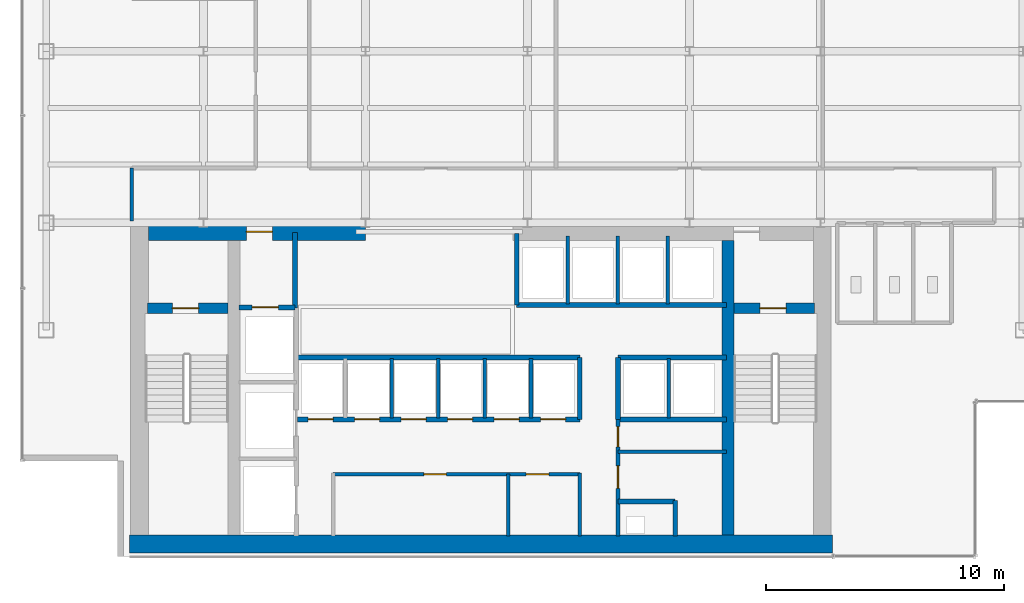
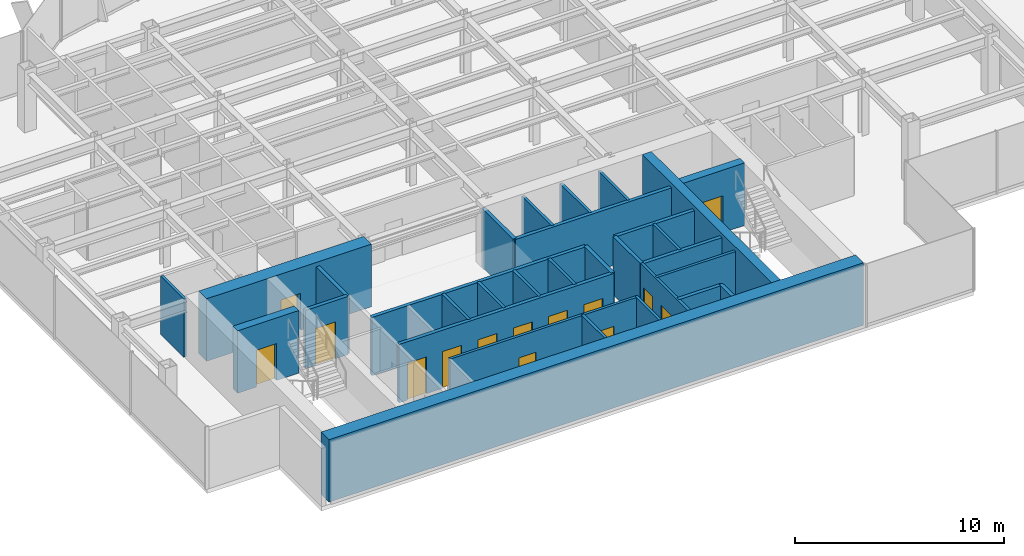
# One storey, part 18 of 23: 31 walls, 14 doors, 14 openings.
"""IFC4 building model written with IfcOpenShell, lengths in metres."""

from ifc_helpers import new_model, si_unit, derived_unit, direction, frame, frame_2d, origin, place, context, subcontext, project, spatial, rectangle, extrude, source, transform, mapped, material, layer, layer_set, type_object, element, fill, save


model = new_model("IFC4")

# Units and contexts
model_context = context("Model", 3, precision=1e-05, world=origin(), true_north=direction((0.0, 1.0)))
body_context = subcontext(model_context, "Body", "Model", "MODEL_VIEW")
ifc_project = project(units=[si_unit("LENGTHUNIT", "METRE"), si_unit("AREAUNIT", "SQUARE_METRE"), si_unit("VOLUMEUNIT", "CUBIC_METRE"), si_unit("PLANEANGLEUNIT", "RADIAN"), si_unit("MASSUNIT", "GRAM", prefix="KILO"), derived_unit("THERMALTRANSMITTANCEUNIT", [(si_unit("POWERUNIT", "WATT"), 1), (si_unit("LENGTHUNIT", "METRE"), -2), (si_unit("THERMODYNAMICTEMPERATUREUNIT", "KELVIN"), -1)])], contexts=[model_context])

# Site, building, storey
site_placement = place(None, origin())
site = spatial("IfcSite", under=ifc_project, at=site_placement, CompositionType="ELEMENT")
building_placement = place(site_placement, origin())
building = spatial("IfcBuilding", under=site, at=building_placement, Name="Skarnbrae Concourse Arena and Tower", CompositionType="ELEMENT")
storey_placement = place(building_placement, frame((0.0, 0.0, 140.60009765625)))
storey = spatial("IfcBuildingStorey", under=building, at=storey_placement, Name="L35", CompositionType="ELEMENT", Elevation=140.60009765625)

# Wall, opening, door
ifc_material_1 = material(Name="Concrete 50 MPa (C50/60)", Category="concrete")
ifc_layer_1 = layer(ifc_material_1, 0.449951171875)
ifc_layer_set_1 = layer_set([ifc_layer_1], Name="Concrete 50 MPa (C50/60)")
wall_type_1 = type_object("IfcWallType", Name="WALL-CORE-450-C50", PredefinedType="SHEAR", material=ifc_layer_set_1)
shared_shape_1 = source(origin(), body_context, "Body", "SweptSolid", [
    extrude(rectangle(XDim=3.389892578125, YDim=0.449951171875, at=frame_2d((1.69482421875, 0.0))), origin(), (0.0, 0.0, 1.0), 3.64990234375),
])
wall_1_placement = place(storey_placement, frame((5.25, 10.419921875, 0.0), z_axis=(0.0, 0.0, 1.0), x_axis=(1.0, 0.0, 0.0)))
wall_1 = element("IfcWall", 1, at=wall_1_placement, inside=storey, type_object=wall_type_1, Name="L35 Rear core shear wall CW-ST1-N", PredefinedType="SHEAR", context=body_context, shape_type="MappedRepresentation", body=[
    mapped(shared_shape_1, transform((0.0, 0.0, 0.0))),
])
opening_1_placement = place(wall_1_placement, frame((1.050048828125, 0.0, 0.0)))
opening_1 = element("IfcOpeningElement", 2, at=opening_1_placement, cuts=wall_1, Name="Opening DT-03", PredefinedType="OPENING", context=body_context, shape_type="SweptSolid", body=[
    extrude(rectangle(XDim=1.10009765625, YDim=2.14990234375, at=frame_2d((0.550048828125, 1.074951171875))), frame((0.0, 0.23486328125, 0.0), z_axis=(0.0, -1.0, 0.0), x_axis=(1.0, 0.0, 0.0)), (0.0, 0.0, 1.0), 0.469970703125),
])
ifc_material_2 = material(Name="Steel CSA G40.21 350W", Category="steel")
door_type_1 = type_object("IfcDoorType", Name="DOOR-FIRE-1100-90M", OperationType="NOTDEFINED", PredefinedType="DOOR", material=ifc_material_2)
shared_shape_2 = source(origin(), body_context, "Body", "SweptSolid", [
    extrude(rectangle(XDim=1.10009765625, YDim=2.14990234375, at=frame_2d((0.550048828125, 1.074951171875))), frame((0.0, 0.02490234375, 0.0), z_axis=(0.0, -1.0, 0.0), x_axis=(1.0, 0.0, 0.0)), (0.0, 0.0, 1.0), 0.050048828125),
])
door_1_placement = place(opening_1_placement, frame((1.10009765625, 0.0, 0.0), z_axis=(0.0, 0.0, 1.0), x_axis=(-1.0, 0.0, 0.0)))
door_1 = element("IfcDoor", 3, at=door_1_placement, inside=storey, type_object=door_type_1, Name="D-1095 Stair ST-1 Door", OperationType="SINGLE_SWING_LEFT", OverallHeight=2.14990234375, OverallWidth=1.10009765625, PredefinedType="DOOR", context=body_context, shape_type="MappedRepresentation", body=[
    mapped(shared_shape_2, transform((0.0, 0.0, 0.0))),
])
fill(opening_1, door_1)

wall_2_placement = place(storey_placement, frame((29.860107421875, 10.419921875, 0.0), z_axis=(0.0, 0.0, 1.0), x_axis=(1.0, 0.0, 0.0)))
wall_2 = element("IfcWall", 4, at=wall_2_placement, inside=storey, type_object=wall_type_1, Name="L35 Rear core shear wall CW-ST2-N", PredefinedType="SHEAR", context=body_context, shape_type="MappedRepresentation", body=[
    mapped(shared_shape_1, transform((0.0, 0.0, 0.0))),
])
opening_2_placement = place(wall_2_placement, frame((1.10009765625, 0.0, 0.0)))
opening_2 = element("IfcOpeningElement", 5, at=opening_2_placement, cuts=wall_2, Name="Opening DT-03", PredefinedType="OPENING", context=body_context, shape_type="SweptSolid", body=[
    extrude(rectangle(XDim=1.10009765625, YDim=2.14990234375, at=frame_2d((0.550048828125, 1.074951171875))), frame((0.0, 0.23486328125, 0.0), z_axis=(0.0, -1.0, 0.0), x_axis=(1.0, 0.0, 0.0)), (0.0, 0.0, 1.0), 0.469970703125),
])
door_2_placement = place(opening_2_placement, frame((1.10009765625, 0.0, 0.0), z_axis=(0.0, 0.0, 1.0), x_axis=(-1.0, 0.0, 0.0)))
door_2 = element("IfcDoor", 6, at=door_2_placement, inside=storey, type_object=door_type_1, Name="D-1096 Stair ST-2 Door", OperationType="SINGLE_SWING_RIGHT", OverallHeight=2.14990234375, OverallWidth=1.10009765625, PredefinedType="DOOR", context=body_context, shape_type="MappedRepresentation", body=[
    mapped(shared_shape_2, transform((0.0, 0.0, 0.0))),
])
fill(opening_2, door_2)

# Wall
ifc_material_3 = material(Name="Concrete 60 MPa (C60/75)", Category="concrete")
ifc_layer_2 = layer(ifc_material_3, 0.75)
ifc_layer_set_2 = layer_set([ifc_layer_2], Name="Concrete 60 MPa (C60/75)")
wall_type_2 = type_object("IfcWallType", Name="WALL-CORE-750-C60", PredefinedType="SHEAR", material=ifc_layer_set_2)
shared_shape_3 = source(origin(), body_context, "Body", "SweptSolid", [
    extrude(rectangle(XDim=29.5, YDim=0.75, at=frame_2d((14.75, 0.0))), origin(), (0.0, 0.0, 1.0), 3.64990234375),
])
wall_3_placement = place(storey_placement, frame((4.5, 0.52490234375, 0.0), z_axis=(0.0, 0.0, 1.0), x_axis=(1.0, 0.0, 0.0)))
element("IfcWall", 7, at=wall_3_placement, inside=storey, type_object=wall_type_2, Name="L35 Rear core shear wall CW-S", PredefinedType="SHEAR", context=body_context, shape_type="MappedRepresentation", body=[
    mapped(shared_shape_3, transform((0.0, 0.0, 0.0))),
])

# Wall, opening, door
shared_shape_4 = source(origin(), body_context, "Body", "SweptSolid", [
    extrude(rectangle(XDim=9.099853515625, YDim=0.75, at=frame_2d((4.5498046875, 0.0))), origin(), (0.0, 0.0, 1.0), 3.64990234375),
])
wall_4_placement = place(storey_placement, frame((5.300048828125, 13.625, 0.0), z_axis=(0.0, 0.0, 1.0), x_axis=(1.0, 0.0, 0.0)))
wall_4 = element("IfcWall", 8, at=wall_4_placement, inside=storey, type_object=wall_type_2, Name="L35 Rear core shear wall CW-NW", PredefinedType="SHEAR", context=body_context, shape_type="MappedRepresentation", body=[
    mapped(shared_shape_4, transform((0.0, 0.0, 0.0))),
])
opening_3_placement = place(wall_4_placement, frame((4.10009765625, 0.0, 0.0)))
opening_3 = element("IfcOpeningElement", 9, at=opening_3_placement, cuts=wall_4, Name="Opening DT-03", PredefinedType="OPENING", context=body_context, shape_type="SweptSolid", body=[
    extrude(rectangle(XDim=1.10009765625, YDim=2.14990234375, at=frame_2d((0.550048828125, 1.074951171875))), frame((0.0, 0.385009765625, 0.0), z_axis=(0.0, -1.0, 0.0), x_axis=(1.0, 0.0, 0.0)), (0.0, 0.0, 1.0), 0.77001953125),
])
door_3_placement = place(opening_3_placement, origin())
door_3 = element("IfcDoor", 10, at=door_3_placement, inside=storey, type_object=door_type_1, Name="D-1097 Firefighting Lobby Exit Door", OperationType="SINGLE_SWING_RIGHT", OverallHeight=2.14990234375, OverallWidth=1.10009765625, PredefinedType="DOOR", context=body_context, shape_type="MappedRepresentation", body=[
    mapped(shared_shape_2, transform((0.0, 0.0, 0.0))),
])
fill(opening_3, door_3)

# Walls
ifc_layer_3 = layer(ifc_material_3, 0.5)
ifc_layer_set_3 = layer_set([ifc_layer_3], Name="Concrete 60 MPa (C60/75)")
wall_type_3 = type_object("IfcWallType", Name="WALL-CORE-500-C60", PredefinedType="SHEAR", material=ifc_layer_set_3)
shared_shape_5 = source(origin(), body_context, "Body", "SweptSolid", [
    extrude(rectangle(XDim=12.35009765625, YDim=0.5, at=frame_2d((6.175048828125, 0.0))), origin(), (0.0, 0.0, 1.0), 3.64990234375),
])
wall_5_placement = place(storey_placement, frame((29.610107421875, 0.89990234375, 0.0), z_axis=(0.0, 0.0, 1.0), x_axis=(0.0, 1.0, 0.0)))
element("IfcWall", 11, at=wall_5_placement, inside=storey, type_object=wall_type_3, Name="L35 Rear core shear wall CW-WEB-E", PredefinedType="SHEAR", context=body_context, shape_type="MappedRepresentation", body=[
    mapped(shared_shape_5, transform((0.0, 0.0, 0.0))),
])
ifc_material_4 = material(Name="Gypsum board on cold-formed steel studs", Category="steel")
ifc_layer_4 = layer(ifc_material_4, 0.199951171875)
ifc_layer_set_4 = layer_set([ifc_layer_4], Name="Gypsum board on cold-formed steel studs")
wall_type_4 = type_object("IfcWallType", Name="WALL-PART-200-2HR", PredefinedType="PARTITIONING", material=ifc_layer_set_4)
shared_shape_6 = source(origin(), body_context, "Body", "SweptSolid", [
    extrude(rectangle(XDim=3.18017578125, YDim=0.199951171875, at=frame_2d((1.590087890625, 0.0))), origin(), (0.0, 0.0, 1.0), 3.39990234375),
])
wall_6_placement = place(storey_placement, frame((11.449951171875, 10.419921875, 0.0), z_axis=(0.0, 0.0, 1.0), x_axis=(0.0, 1.0, 0.0)))
element("IfcWall", 12, at=wall_6_placement, inside=storey, type_object=wall_type_4, Name="L35 Interior partition wall W-L35-FFL-E", PredefinedType="PARTITIONING", context=body_context, shape_type="MappedRepresentation", body=[
    mapped(shared_shape_6, transform((0.0, 0.0, 0.0))),
])

# Wall, opening, door
shared_shape_7 = source(origin(), body_context, "Body", "SweptSolid", [
    extrude(rectangle(XDim=2.349853515625, YDim=0.199951171875, at=frame_2d((1.1748046875, 0.0))), origin(), (0.0, 0.0, 1.0), 3.39990234375),
])
wall_7_placement = place(storey_placement, frame((9.10009765625, 10.449951171875, 0.0), z_axis=(0.0, 0.0, 1.0), x_axis=(1.0, 0.0, 0.0)))
wall_7 = element("IfcWall", 13, at=wall_7_placement, inside=storey, type_object=wall_type_4, Name="L35 Interior partition wall W-L35-FL1-N", PredefinedType="PARTITIONING", context=body_context, shape_type="MappedRepresentation", body=[
    mapped(shared_shape_7, transform((0.0, 0.0, 0.0))),
])
opening_4_placement = place(wall_7_placement, frame((0.550048828125, 0.0, 0.0)))
opening_4 = element("IfcOpeningElement", 14, at=opening_4_placement, cuts=wall_7, Name="Opening LD-01", PredefinedType="OPENING", context=body_context, shape_type="SweptSolid", body=[
    extrude(rectangle(XDim=1.10009765625, YDim=2.14990234375, at=frame_2d((0.550048828125, 1.074951171875))), frame((0.0, 0.10986328125, 0.0), z_axis=(0.0, -1.0, 0.0), x_axis=(1.0, 0.0, 0.0)), (0.0, 0.0, 1.0), 0.219970703125),
])
door_type_2 = type_object("IfcDoorType", Name="DOOR-LIFT-SLIDE-1100", OperationType="SLIDING_TO_LEFT", PredefinedType="DOOR", material=ifc_material_2)
door_4_placement = place(opening_4_placement, origin())
door_4 = element("IfcDoor", 15, at=door_4_placement, inside=storey, type_object=door_type_2, Name="D-1099 Firefighting Lift Landing Door FL-01", OperationType="SLIDING_TO_LEFT", OverallHeight=2.14990234375, OverallWidth=1.10009765625, PredefinedType="DOOR", context=body_context, shape_type="MappedRepresentation", body=[
    mapped(shared_shape_2, transform((0.0, 0.0, 0.0))),
])
fill(opening_4, door_4)

# Wall
ifc_layer_5 = layer(ifc_material_4, 0.14990234375)
ifc_layer_set_5 = layer_set([ifc_layer_5], Name="Gypsum board on cold-formed steel studs")
wall_type_5 = type_object("IfcWallType", Name="WALL-PART-150", PredefinedType="PARTITIONING", material=ifc_layer_set_5)
shared_shape_8 = source(origin(), body_context, "Body", "SweptSolid", [
    extrude(rectangle(XDim=2.599853515625, YDim=0.14990234375, at=frame_2d((1.2998046875, 0.0))), origin(), (0.0, 0.0, 1.0), 3.39990234375),
])
wall_8_placement = place(storey_placement, frame((20.39990234375, 0.85009765625, 0.0), z_axis=(0.0, 0.0, 1.0), x_axis=(0.0, 1.0, 0.0)))
element("IfcWall", 16, at=wall_8_placement, inside=storey, type_object=wall_type_5, Name="L35 Interior partition wall W-L35-B1M-C1", PredefinedType="PARTITIONING", context=body_context, shape_type="MappedRepresentation", body=[
    mapped(shared_shape_8, transform((0.0, 0.0, 0.0))),
])

# Wall, openings, doors
shared_shape_9 = source(origin(), body_context, "Body", "SweptSolid", [
    extrude(rectangle(XDim=11.849853515625, YDim=0.199951171875, at=frame_2d((5.9248046875, 0.0))), origin(), (0.0, 0.0, 1.0), 3.39990234375),
])
wall_9_placement = place(storey_placement, frame((11.550048828125, 5.75, 0.0), z_axis=(0.0, 0.0, 1.0), x_axis=(1.0, 0.0, 0.0)))
wall_9 = element("IfcWall", 17, at=wall_9_placement, inside=storey, type_object=wall_type_4, Name="L35 Interior partition wall W-L35-B2-S", PredefinedType="PARTITIONING", context=body_context, shape_type="MappedRepresentation", body=[
    mapped(shared_shape_9, transform((0.0, 0.0, 0.0))),
])
opening_5_placement = place(wall_9_placement, frame((0.449951171875, 0.0, 0.0)))
opening_5 = element("IfcOpeningElement", 18, at=opening_5_placement, cuts=wall_9, Name="Opening LD-03", PredefinedType="OPENING", context=body_context, shape_type="SweptSolid", body=[
    extrude(rectangle(XDim=1.050048828125, YDim=2.14990234375, at=frame_2d((0.52490234375, 1.074951171875))), frame((0.0, 0.10986328125, 0.0), z_axis=(0.0, -1.0, 0.0), x_axis=(1.0, 0.0, 0.0)), (0.0, 0.0, 1.0), 0.219970703125),
])
opening_6_placement = place(wall_9_placement, frame((2.39990234375, 0.0, 0.0)))
opening_6 = element("IfcOpeningElement", 19, at=opening_6_placement, cuts=wall_9, Name="Opening LD-03", PredefinedType="OPENING", context=body_context, shape_type="SweptSolid", body=[
    extrude(rectangle(XDim=1.050048828125, YDim=2.14990234375, at=frame_2d((0.52490234375, 1.074951171875))), frame((0.0, 0.10986328125, 0.0), z_axis=(0.0, -1.0, 0.0), x_axis=(1.0, 0.0, 0.0)), (0.0, 0.0, 1.0), 0.219970703125),
])
opening_7_placement = place(wall_9_placement, frame((4.35009765625, 0.0, 0.0)))
opening_7 = element("IfcOpeningElement", 20, at=opening_7_placement, cuts=wall_9, Name="Opening LD-03", PredefinedType="OPENING", context=body_context, shape_type="SweptSolid", body=[
    extrude(rectangle(XDim=1.050048828125, YDim=2.14990234375, at=frame_2d((0.52490234375, 1.074951171875))), frame((0.0, 0.10986328125, 0.0), z_axis=(0.0, -1.0, 0.0), x_axis=(1.0, 0.0, 0.0)), (0.0, 0.0, 1.0), 0.219970703125),
])
opening_8_placement = place(wall_9_placement, frame((6.300048828125, 0.0, 0.0)))
opening_8 = element("IfcOpeningElement", 21, at=opening_8_placement, cuts=wall_9, Name="Opening LD-03", PredefinedType="OPENING", context=body_context, shape_type="SweptSolid", body=[
    extrude(rectangle(XDim=1.050048828125, YDim=2.14990234375, at=frame_2d((0.52490234375, 1.074951171875))), frame((0.0, 0.10986328125, 0.0), z_axis=(0.0, -1.0, 0.0), x_axis=(1.0, 0.0, 0.0)), (0.0, 0.0, 1.0), 0.219970703125),
])
opening_9_placement = place(wall_9_placement, frame((8.25, 0.0, 0.0)))
opening_9 = element("IfcOpeningElement", 22, at=opening_9_placement, cuts=wall_9, Name="Opening LD-03", PredefinedType="OPENING", context=body_context, shape_type="SweptSolid", body=[
    extrude(rectangle(XDim=1.050048828125, YDim=2.14990234375, at=frame_2d((0.52490234375, 1.074951171875))), frame((0.0, 0.10986328125, 0.0), z_axis=(0.0, -1.0, 0.0), x_axis=(1.0, 0.0, 0.0)), (0.0, 0.0, 1.0), 0.219970703125),
])
opening_10_placement = place(wall_9_placement, frame((10.199951171875, 0.0, 0.0)))
opening_10 = element("IfcOpeningElement", 23, at=opening_10_placement, cuts=wall_9, Name="Opening LD-03", PredefinedType="OPENING", context=body_context, shape_type="SweptSolid", body=[
    extrude(rectangle(XDim=1.050048828125, YDim=2.14990234375, at=frame_2d((0.52490234375, 1.074951171875))), frame((0.0, 0.10986328125, 0.0), z_axis=(0.0, -1.0, 0.0), x_axis=(1.0, 0.0, 0.0)), (0.0, 0.0, 1.0), 0.219970703125),
])
ifc_material_5 = material(Name="Bronze anodised aluminium 6063-T6", Category="aluminium")
door_type_3 = type_object("IfcDoorType", Name="DOOR-LIFT-SLIDE-1050", OperationType="SLIDING_TO_LEFT", PredefinedType="DOOR", material=ifc_material_5)
shared_shape_10 = source(origin(), body_context, "Body", "SweptSolid", [
    extrude(rectangle(XDim=1.050048828125, YDim=2.14990234375, at=frame_2d((0.52490234375, 1.074951171875))), frame((0.0, 0.02490234375, 0.0), z_axis=(0.0, -1.0, 0.0), x_axis=(1.0, 0.0, 0.0)), (0.0, 0.0, 1.0), 0.050048828125),
])
door_5_placement = place(opening_5_placement, frame((1.050048828125, 0.0, 0.0), z_axis=(0.0, 0.0, 1.0), x_axis=(-1.0, 0.0, 0.0)))
door_5 = element("IfcDoor", 24, at=door_5_placement, inside=storey, type_object=door_type_3, Name="D-1104 Passenger Lift Landing Door PL-2A", OperationType="SLIDING_TO_LEFT", OverallHeight=2.14990234375, OverallWidth=1.050048828125, PredefinedType="DOOR", context=body_context, shape_type="MappedRepresentation", body=[
    mapped(shared_shape_10, transform((0.0, 0.0, 0.0))),
])
fill(opening_5, door_5)
door_6_placement = place(opening_6_placement, frame((1.050048828125, 0.0, 0.0), z_axis=(0.0, 0.0, 1.0), x_axis=(-1.0, 0.0, 0.0)))
door_6 = element("IfcDoor", 25, at=door_6_placement, inside=storey, type_object=door_type_3, Name="D-1105 Passenger Lift Landing Door PL-2B", OperationType="SLIDING_TO_LEFT", OverallHeight=2.14990234375, OverallWidth=1.050048828125, PredefinedType="DOOR", context=body_context, shape_type="MappedRepresentation", body=[
    mapped(shared_shape_10, transform((0.0, 0.0, 0.0))),
])
fill(opening_6, door_6)
door_7_placement = place(opening_7_placement, frame((1.050048828125, 0.0, 0.0), z_axis=(0.0, 0.0, 1.0), x_axis=(-1.0, 0.0, 0.0)))
door_7 = element("IfcDoor", 26, at=door_7_placement, inside=storey, type_object=door_type_3, Name="D-1106 Passenger Lift Landing Door PL-2C", OperationType="SLIDING_TO_LEFT", OverallHeight=2.14990234375, OverallWidth=1.050048828125, PredefinedType="DOOR", context=body_context, shape_type="MappedRepresentation", body=[
    mapped(shared_shape_10, transform((0.0, 0.0, 0.0))),
])
fill(opening_7, door_7)
door_8_placement = place(opening_8_placement, frame((1.050048828125, 0.0, 0.0), z_axis=(0.0, 0.0, 1.0), x_axis=(-1.0, 0.0, 0.0)))
door_8 = element("IfcDoor", 27, at=door_8_placement, inside=storey, type_object=door_type_3, Name="D-1107 Passenger Lift Landing Door PL-2D", OperationType="SLIDING_TO_LEFT", OverallHeight=2.14990234375, OverallWidth=1.050048828125, PredefinedType="DOOR", context=body_context, shape_type="MappedRepresentation", body=[
    mapped(shared_shape_10, transform((0.0, 0.0, 0.0))),
])
fill(opening_8, door_8)
door_9_placement = place(opening_9_placement, frame((1.050048828125, 0.0, 0.0), z_axis=(0.0, 0.0, 1.0), x_axis=(-1.0, 0.0, 0.0)))
door_9 = element("IfcDoor", 28, at=door_9_placement, inside=storey, type_object=door_type_3, Name="D-1108 Passenger Lift Landing Door PL-2E", OperationType="SLIDING_TO_LEFT", OverallHeight=2.14990234375, OverallWidth=1.050048828125, PredefinedType="DOOR", context=body_context, shape_type="MappedRepresentation", body=[
    mapped(shared_shape_10, transform((0.0, 0.0, 0.0))),
])
fill(opening_9, door_9)
door_10_placement = place(opening_10_placement, frame((1.050048828125, 0.0, 0.0), z_axis=(0.0, 0.0, 1.0), x_axis=(-1.0, 0.0, 0.0)))
door_10 = element("IfcDoor", 29, at=door_10_placement, inside=storey, type_object=door_type_3, Name="D-1109 Passenger Lift Landing Door PL-2F", OperationType="SLIDING_TO_LEFT", OverallHeight=2.14990234375, OverallWidth=1.050048828125, PredefinedType="DOOR", context=body_context, shape_type="MappedRepresentation", body=[
    mapped(shared_shape_10, transform((0.0, 0.0, 0.0))),
])
fill(opening_10, door_10)

# Walls
wall_10_placement = place(storey_placement, frame((11.550048828125, 8.35009765625, 0.0), z_axis=(0.0, 0.0, 1.0), x_axis=(1.0, 0.0, 0.0)))
element("IfcWall", 30, at=wall_10_placement, inside=storey, type_object=wall_type_4, Name="L35 Interior partition wall W-L35-B2-N", PredefinedType="PARTITIONING", context=body_context, shape_type="MappedRepresentation", body=[
    mapped(shared_shape_9, transform((0.0, 0.0, 0.0))),
])
shared_shape_11 = source(origin(), body_context, "Body", "SweptSolid", [
    extrude(rectangle(XDim=2.60009765625, YDim=0.199951171875, at=frame_2d((1.300048828125, 0.0))), origin(), (0.0, 0.0, 1.0), 3.39990234375),
])
for number, where, z_axis, x_axis, name in (
    (31, (23.39990234375, 5.75, 0.0), (0.0, 0.0, 1.0), (0.0, 1.0, 0.0), "L35 Interior partition wall W-L35-B2-E"),
    (32, (25.0, 5.75, 0.0), (0.0, 0.0, 1.0), (0.0, 1.0, 0.0), "L35 Interior partition wall W-L35-B3S-W"),
):
    element("IfcWall", number, at=place(storey_placement, frame(where, z_axis=z_axis, x_axis=x_axis)), inside=storey, type_object=wall_type_4, Name=name, PredefinedType="PARTITIONING", context=body_context, shape_type="MappedRepresentation", body=[
        mapped(shared_shape_11, transform((0.0, 0.0, 0.0))),
    ])
shared_shape_12 = source(origin(), body_context, "Body", "SweptSolid", [
    extrude(rectangle(XDim=2.5, YDim=0.14990234375, at=frame_2d((1.25, 0.0))), origin(), (0.0, 0.0, 1.0), 3.39990234375),
])
for number, where, z_axis, x_axis, name in (
    (33, (15.5, 5.800048828125, 0.0), (0.0, 0.0, 1.0), (0.0, 1.0, 0.0), "L35 Interior partition wall W-L35-B2-P2"),
    (34, (17.449951171875, 5.800048828125, 0.0), (0.0, 0.0, 1.0), (0.0, 1.0, 0.0), "L35 Interior partition wall W-L35-B2-P3"),
    (35, (19.39990234375, 5.800048828125, 0.0), (0.0, 0.0, 1.0), (0.0, 1.0, 0.0), "L35 Interior partition wall W-L35-B2-P4"),
    (36, (21.35009765625, 5.800048828125, 0.0), (0.0, 0.0, 1.0), (0.0, 1.0, 0.0), "L35 Interior partition wall W-L35-B2-P5"),
    (37, (27.139892578125, 5.800048828125, 0.0), (0.0, 0.0, 1.0), (0.0, 1.0, 0.0), "L35 Interior partition wall W-L35-B3S-P1"),
):
    element("IfcWall", number, at=place(storey_placement, frame(where, z_axis=z_axis, x_axis=x_axis)), inside=storey, type_object=wall_type_5, Name=name, PredefinedType="PARTITIONING", context=body_context, shape_type="MappedRepresentation", body=[
        mapped(shared_shape_12, transform((0.0, 0.0, 0.0))),
    ])
shared_shape_13 = source(origin(), body_context, "Body", "SweptSolid", [
    extrude(rectangle(XDim=8.800048828125, YDim=0.199951171875, at=frame_2d((4.39990234375, 0.0))), origin(), (0.0, 0.0, 1.0), 3.39990234375),
])
wall_11_placement = place(storey_placement, frame((20.75, 10.550048828125, 0.0), z_axis=(0.0, 0.0, 1.0), x_axis=(1.0, 0.0, 0.0)))
element("IfcWall", 38, at=wall_11_placement, inside=storey, type_object=wall_type_4, Name="L35 Interior partition wall W-L35-B3N-S", PredefinedType="PARTITIONING", context=body_context, shape_type="MappedRepresentation", body=[
    mapped(shared_shape_13, transform((0.0, 0.0, 0.0))),
])
shared_shape_14 = source(origin(), body_context, "Body", "SweptSolid", [
    extrude(rectangle(XDim=3.0, YDim=0.199951171875, at=frame_2d((1.5, 0.0))), origin(), (0.0, 0.0, 1.0), 3.39990234375),
])
wall_12_placement = place(storey_placement, frame((20.75, 10.550048828125, 0.0), z_axis=(0.0, 0.0, 1.0), x_axis=(0.0, 1.0, 0.0)))
element("IfcWall", 39, at=wall_12_placement, inside=storey, type_object=wall_type_4, Name="L35 Interior partition wall W-L35-B3N-W", PredefinedType="PARTITIONING", context=body_context, shape_type="MappedRepresentation", body=[
    mapped(shared_shape_14, transform((0.0, 0.0, 0.0))),
])
shared_shape_15 = source(origin(), body_context, "Body", "SweptSolid", [
    extrude(rectangle(XDim=2.849853515625, YDim=0.14990234375, at=frame_2d((1.4248046875, 0.0))), origin(), (0.0, 0.0, 1.0), 3.39990234375),
])
for number, where, z_axis, x_axis, name in (
    (40, (22.889892578125, 10.60009765625, 0.0), (0.0, 0.0, 1.0), (0.0, 1.0, 0.0), "L35 Interior partition wall W-L35-B3N-P1"),
    (41, (24.989990234375, 10.60009765625, 0.0), (0.0, 0.0, 1.0), (0.0, 1.0, 0.0), "L35 Interior partition wall W-L35-B3N-P2"),
    (42, (27.090087890625, 10.60009765625, 0.0), (0.0, 0.0, 1.0), (0.0, 1.0, 0.0), "L35 Interior partition wall W-L35-B3N-P3"),
):
    element("IfcWall", number, at=place(storey_placement, frame(where, z_axis=z_axis, x_axis=x_axis)), inside=storey, type_object=wall_type_5, Name=name, PredefinedType="PARTITIONING", context=body_context, shape_type="MappedRepresentation", body=[
        mapped(shared_shape_15, transform((0.0, 0.0, 0.0))),
    ])
shared_shape_16 = source(origin(), body_context, "Body", "SweptSolid", [
    extrude(rectangle(XDim=4.550048828125, YDim=0.199951171875, at=frame_2d((2.27490234375, 0.0))), origin(), (0.0, 0.0, 1.0), 3.39990234375),
])
for number, where, z_axis, x_axis, name in (
    (43, (25.0, 8.35009765625, 0.0), (0.0, 0.0, 1.0), (1.0, 0.0, 0.0), "L35 Interior partition wall W-L35-B3S-N"),
    (44, (25.0, 5.75, 0.0), (0.0, 0.0, 1.0), (1.0, 0.0, 0.0), "L35 Interior partition wall W-L35-B3S-S"),
):
    element("IfcWall", number, at=place(storey_placement, frame(where, z_axis=z_axis, x_axis=x_axis)), inside=storey, type_object=wall_type_4, Name=name, PredefinedType="PARTITIONING", context=body_context, shape_type="MappedRepresentation", body=[
        mapped(shared_shape_16, transform((0.0, 0.0, 0.0))),
    ])

# Wall, openings, doors
ifc_layer_6 = layer(ifc_material_4, 0.14990234375)
ifc_layer_set_6 = layer_set([ifc_layer_6], Name="Gypsum board on cold-formed steel studs")
wall_type_6 = type_object("IfcWallType", Name="WALL-PART-150-1HR", PredefinedType="PARTITIONING", material=ifc_layer_set_6)
shared_shape_17 = source(origin(), body_context, "Body", "SweptSolid", [
    extrude(rectangle(XDim=4.89990234375, YDim=0.14990234375, at=frame_2d((2.449951171875, 0.0))), origin(), (0.0, 0.0, 1.0), 3.39990234375),
])
wall_13_placement = place(storey_placement, frame((25.0, 0.85009765625, 0.0), z_axis=(0.0, 0.0, 1.0), x_axis=(0.0, 1.0, 0.0)))
wall_13 = element("IfcWall", 45, at=wall_13_placement, inside=storey, type_object=wall_type_6, Name="L35 Interior partition wall W-L35-CSV-W", PredefinedType="PARTITIONING", context=body_context, shape_type="MappedRepresentation", body=[
    mapped(shared_shape_17, transform((0.0, 0.0, 0.0))),
])
opening_11_placement = place(wall_13_placement, frame((2.0, 0.0, 0.0)))
opening_11 = element("IfcOpeningElement", 46, at=opening_11_placement, cuts=wall_13, Name="Opening DT-04", PredefinedType="OPENING", context=body_context, shape_type="SweptSolid", body=[
    extrude(rectangle(XDim=0.949951171875, YDim=2.14990234375, at=frame_2d((0.47509765625, 1.074951171875))), frame((0.0, 0.0849609375, 0.0), z_axis=(0.0, -1.0, 0.0), x_axis=(1.0, 0.0, 0.0)), (0.0, 0.0, 1.0), 0.169921875),
])
opening_12_placement = place(wall_13_placement, frame((3.75, 0.0, 0.0)))
opening_12 = element("IfcOpeningElement", 47, at=opening_12_placement, cuts=wall_13, Name="Opening DT-08", PredefinedType="OPENING", context=body_context, shape_type="SweptSolid", body=[
    extrude(rectangle(XDim=0.85009765625, YDim=2.14990234375, at=frame_2d((0.425048828125, 1.074951171875))), frame((0.0, 0.0849609375, 0.0), z_axis=(0.0, -1.0, 0.0), x_axis=(1.0, 0.0, 0.0)), (0.0, 0.0, 1.0), 0.169921875),
])
door_type_4 = type_object("IfcDoorType", Name="DOOR-INT-950-45M", OperationType="NOTDEFINED", PredefinedType="DOOR", material=ifc_material_2)
shared_shape_18 = source(origin(), body_context, "Body", "SweptSolid", [
    extrude(rectangle(XDim=0.949951171875, YDim=2.14990234375, at=frame_2d((0.47509765625, 1.074951171875))), frame((0.0, 0.02490234375, 0.0), z_axis=(0.0, -1.0, 0.0), x_axis=(1.0, 0.0, 0.0)), (0.0, 0.0, 1.0), 0.050048828125),
])
door_11_placement = place(opening_11_placement, origin())
door_11 = element("IfcDoor", 48, at=door_11_placement, inside=storey, type_object=door_type_4, Name="D-1110 Telemetry Room Door", OperationType="SINGLE_SWING_LEFT", OverallHeight=2.14990234375, OverallWidth=0.949951171875, PredefinedType="DOOR", context=body_context, shape_type="MappedRepresentation", body=[
    mapped(shared_shape_18, transform((0.0, 0.0, 0.0))),
])
fill(opening_11, door_11)
door_type_5 = type_object("IfcDoorType", Name="DOOR-INT-850-45M", OperationType="NOTDEFINED", PredefinedType="DOOR", material=ifc_material_2)
shared_shape_19 = source(origin(), body_context, "Body", "SweptSolid", [
    extrude(rectangle(XDim=0.85009765625, YDim=2.14990234375, at=frame_2d((0.425048828125, 1.074951171875))), frame((0.0, 0.02490234375, 0.0), z_axis=(0.0, -1.0, 0.0), x_axis=(1.0, 0.0, 0.0)), (0.0, 0.0, 1.0), 0.050048828125),
])
door_12_placement = place(opening_12_placement, origin())
door_12 = element("IfcDoor", 49, at=door_12_placement, inside=storey, type_object=door_type_5, Name="D-1111 Recycling Room Door", OperationType="SINGLE_SWING_RIGHT", OverallHeight=2.14990234375, OverallWidth=0.85009765625, PredefinedType="DOOR", context=body_context, shape_type="MappedRepresentation", body=[
    mapped(shared_shape_19, transform((0.0, 0.0, 0.0))),
])
fill(opening_12, door_12)

# Walls
shared_shape_20 = source(origin(), body_context, "Body", "SweptSolid", [
    extrude(rectangle(XDim=2.39990234375, YDim=0.199951171875, at=frame_2d((1.199951171875, 0.0))), origin(), (0.0, 0.0, 1.0), 3.39990234375),
])
wall_14_placement = place(storey_placement, frame((25.0, 2.300048828125, 0.0), z_axis=(0.0, 0.0, 1.0), x_axis=(1.0, 0.0, 0.0)))
element("IfcWall", 50, at=wall_14_placement, inside=storey, type_object=wall_type_4, Name="L35 Interior partition wall W-L35-MEP-N", PredefinedType="PARTITIONING", context=body_context, shape_type="MappedRepresentation", body=[
    mapped(shared_shape_20, transform((0.0, 0.0, 0.0))),
])
shared_shape_21 = source(origin(), body_context, "Body", "SweptSolid", [
    extrude(rectangle(XDim=1.5, YDim=0.199951171875, at=frame_2d((0.75, 0.0))), origin(), (0.0, 0.0, 1.0), 3.39990234375),
])
wall_15_placement = place(storey_placement, frame((27.39990234375, 0.85009765625, 0.0), z_axis=(0.0, 0.0, 1.0), x_axis=(0.0, 1.0, 0.0)))
element("IfcWall", 51, at=wall_15_placement, inside=storey, type_object=wall_type_4, Name="L35 Interior partition wall W-L35-MEP-E", PredefinedType="PARTITIONING", context=body_context, shape_type="MappedRepresentation", body=[
    mapped(shared_shape_21, transform((0.0, 0.0, 0.0))),
])
shared_shape_22 = source(origin(), body_context, "Body", "SweptSolid", [
    extrude(rectangle(XDim=4.550048828125, YDim=0.14990234375, at=frame_2d((2.27490234375, 0.0))), origin(), (0.0, 0.0, 1.0), 3.39990234375),
])
wall_16_placement = place(storey_placement, frame((25.0, 4.39990234375, 0.0), z_axis=(0.0, 0.0, 1.0), x_axis=(1.0, 0.0, 0.0)))
element("IfcWall", 52, at=wall_16_placement, inside=storey, type_object=wall_type_5, Name="L35 Interior partition wall W-L35-CSV-H", PredefinedType="PARTITIONING", context=body_context, shape_type="MappedRepresentation", body=[
    mapped(shared_shape_22, transform((0.0, 0.0, 0.0))),
])
shared_shape_23 = source(origin(), body_context, "Body", "SweptSolid", [
    extrude(rectangle(XDim=2.64990234375, YDim=0.14990234375, at=frame_2d((1.324951171875, 0.0))), origin(), (0.0, 0.0, 1.0), 3.39990234375),
])
wall_17_placement = place(storey_placement, frame((23.39990234375, 0.85009765625, 0.0), z_axis=(0.0, 0.0, 1.0), x_axis=(0.0, 1.0, 0.0)))
element("IfcWall", 53, at=wall_17_placement, inside=storey, type_object=wall_type_6, Name="L35 Interior partition wall W-L35-B1M-E", PredefinedType="PARTITIONING", context=body_context, shape_type="MappedRepresentation", body=[
    mapped(shared_shape_23, transform((0.0, 0.0, 0.0))),
])

# Wall, openings, doors
shared_shape_24 = source(origin(), body_context, "Body", "SweptSolid", [
    extrude(rectangle(XDim=10.349853515625, YDim=0.14990234375, at=frame_2d((5.1748046875, 0.0))), origin(), (0.0, 0.0, 1.0), 3.39990234375),
])
wall_18_placement = place(storey_placement, frame((13.050048828125, 3.449951171875, 0.0), z_axis=(0.0, 0.0, 1.0), x_axis=(1.0, 0.0, 0.0)))
wall_18 = element("IfcWall", 54, at=wall_18_placement, inside=storey, type_object=wall_type_6, Name="L35 Interior partition wall W-L35-B1M-N", PredefinedType="PARTITIONING", context=body_context, shape_type="MappedRepresentation", body=[
    mapped(shared_shape_24, transform((0.0, 0.0, 0.0))),
])
opening_13_placement = place(wall_18_placement, frame((3.800048828125, 0.0, 0.0)))
opening_13 = element("IfcOpeningElement", 55, at=opening_13_placement, cuts=wall_18, Name="Opening DT-04", PredefinedType="OPENING", context=body_context, shape_type="SweptSolid", body=[
    extrude(rectangle(XDim=0.949951171875, YDim=2.14990234375, at=frame_2d((0.47509765625, 1.074951171875))), frame((0.0, 0.0849609375, 0.0), z_axis=(0.0, -1.0, 0.0), x_axis=(1.0, 0.0, 0.0)), (0.0, 0.0, 1.0), 0.169921875),
])
opening_14_placement = place(wall_18_placement, frame((8.10009765625, 0.0, 0.0)))
opening_14 = element("IfcOpeningElement", 56, at=opening_14_placement, cuts=wall_18, Name="Opening DT-04", PredefinedType="OPENING", context=body_context, shape_type="SweptSolid", body=[
    extrude(rectangle(XDim=0.949951171875, YDim=2.14990234375, at=frame_2d((0.47509765625, 1.074951171875))), frame((0.0, 0.0849609375, 0.0), z_axis=(0.0, -1.0, 0.0), x_axis=(1.0, 0.0, 0.0)), (0.0, 0.0, 1.0), 0.169921875),
])
door_13_placement = place(opening_13_placement, origin())
door_13 = element("IfcDoor", 57, at=door_13_placement, inside=storey, type_object=door_type_4, Name="D-1102 Staff Locker Door", OperationType="SINGLE_SWING_LEFT", OverallHeight=2.14990234375, OverallWidth=0.949951171875, PredefinedType="DOOR", context=body_context, shape_type="MappedRepresentation", body=[
    mapped(shared_shape_18, transform((0.0, 0.0, 0.0))),
])
fill(opening_13, door_13)
door_14_placement = place(opening_14_placement, origin())
door_14 = element("IfcDoor", 58, at=door_14_placement, inside=storey, type_object=door_type_4, Name="D-1103 Janitor Store Door", OperationType="SINGLE_SWING_RIGHT", OverallHeight=2.14990234375, OverallWidth=0.949951171875, PredefinedType="DOOR", context=body_context, shape_type="MappedRepresentation", body=[
    mapped(shared_shape_18, transform((0.0, 0.0, 0.0))),
])
fill(opening_14, door_14)

# Wall
shared_shape_25 = source(origin(), body_context, "Body", "SweptSolid", [
    extrude(rectangle(XDim=2.219970703125, YDim=0.14990234375, at=frame_2d((1.10986328125, 0.0))), origin(), (0.0, 0.0, 1.0), 3.39990234375),
])
wall_19_placement = place(storey_placement, frame((4.60009765625, 14.080078125, 0.0), z_axis=(0.0, 0.0, 1.0), x_axis=(0.0, 1.0, 0.0)))
element("IfcWall", 59, at=wall_19_placement, inside=storey, type_object=wall_type_6, Name="L35 Interior partition wall W-L35-COR-01", PredefinedType="PARTITIONING", context=body_context, shape_type="MappedRepresentation", body=[
    mapped(shared_shape_25, transform((0.0, 0.0, 0.0))),
])

save(model, "model.ifc")
